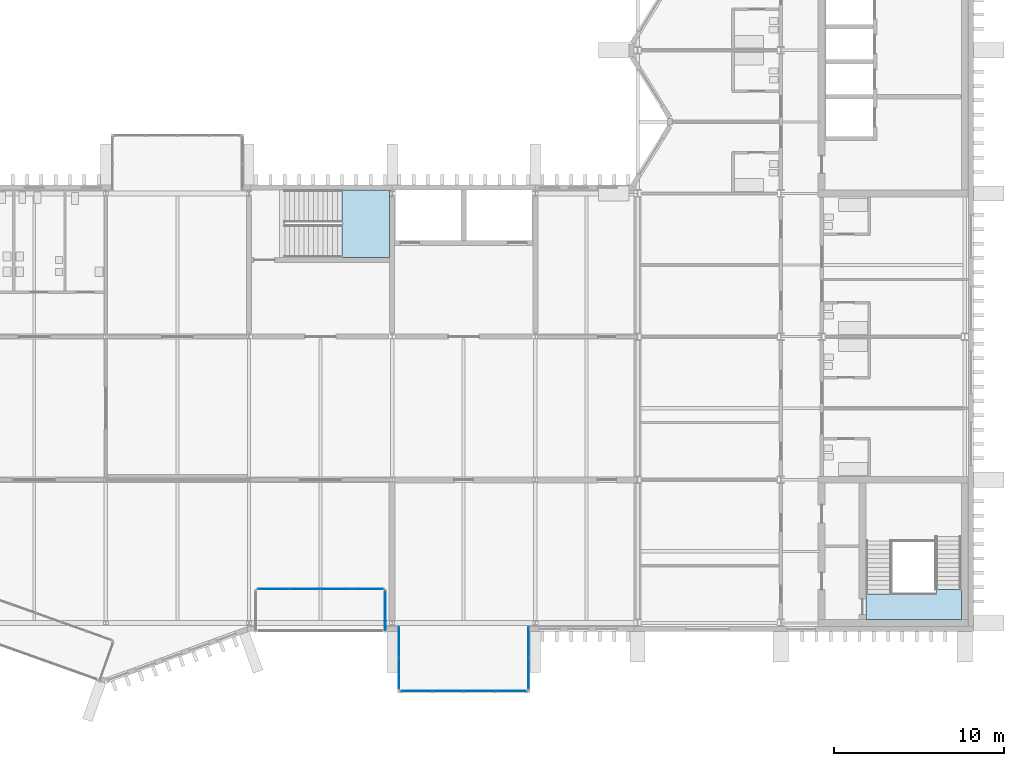
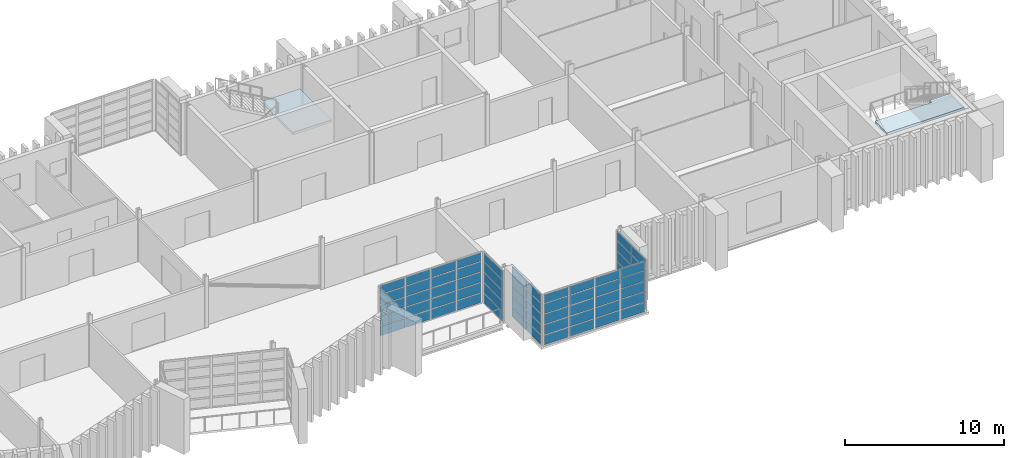
# One storey, part 51 of 88: 65 plates, 2 slabs, 7 elements without a shape of their own.
"""IFC4 building model written with IfcOpenShell, lengths in metres."""

from ifc_helpers import new_model, si_unit, direction, frame, origin, origin_2d, place, context, subcontext, project, spatial, polyline, rectangle, outline, extrude, material, layer, layer_set, type_object, element, aggregate, save


model = new_model("IFC4")

# Units and contexts
model_context = context("Model", 3, precision=1e-05, world=origin(), true_north=direction((0.0, 1.0)))
body_context = subcontext(model_context, "Body", "Model", "MODEL_VIEW")
ifc_project = project(units=[si_unit("LENGTHUNIT", "METRE"), si_unit("AREAUNIT", "SQUARE_METRE"), si_unit("VOLUMEUNIT", "CUBIC_METRE"), si_unit("PLANEANGLEUNIT", "RADIAN"), si_unit("MASSUNIT", "GRAM", prefix="KILO")], contexts=[model_context])

# Site, building, storey
site_placement = place(None, origin())
site = spatial("IfcSite", under=ifc_project, at=site_placement, CompositionType="ELEMENT")
building_placement = place(site_placement, origin())
building = spatial("IfcBuilding", under=site, at=building_placement, Name="Cresset Court Congress Hotel", CompositionType="ELEMENT")
storey_placement = place(building_placement, frame((0.0, 0.0, 14.39990234375)))
storey = spatial("IfcBuildingStorey", under=building, at=storey_placement, Name="L03", CompositionType="ELEMENT", Elevation=14.39990234375)

# Curtain wall, plates
ifc_material_1 = material(Name="Aluminium frame with double glazing", Category="aluminium")
ifc_layer_1 = layer(ifc_material_1, 0.199951171875)
ifc_layer_set_1 = layer_set([ifc_layer_1], Name="Glazed box curtain wall 1680 module")
curtain_wall_type = type_object("IfcCurtainWallType", Name="Glazed box curtain wall 1680 module", PredefinedType="NOTDEFINED", material=ifc_layer_set_1)
curtain_wall_1_placement = place(storey_placement, origin())
curtain_wall_1 = element("IfcCurtainWall", 1, at=curtain_wall_1_placement, inside=storey, type_object=curtain_wall_type, Name="Glazed box S0320 front", PredefinedType="NOTDEFINED")
ifc_material_2 = material(Name="Toughened double glazing", Category="glass")
ifc_layer_2 = layer(ifc_material_2, 0.028076171875)
ifc_layer_set_2 = layer_set([ifc_layer_2], Name="Box glass panel 28")
plate_type_1 = type_object("IfcPlateType", Name="Box glass panel 28", PredefinedType="CURTAIN_PANEL", material=ifc_layer_set_2)
plate_1_placement = place(storey_placement, frame((135.840087890625, 2.0, 0.06005859375), z_axis=(0.0, 0.0, 1.0), x_axis=(1.0, 0.0, 0.0)))
plate_1 = element("IfcPlate", 2, at=plate_1_placement, type_object=plate_type_1, Name="B-X1 panel 1.1", PredefinedType="CURTAIN_PANEL", context=body_context, shape_type="SweptSolid", body=[
    extrude(rectangle(XDim=1.760009765625, YDim=0.028076171875, at=origin_2d()), origin(), (0.0, 0.0, 1.0), 0.715087890625),
])
plate_2_placement = place(storey_placement, frame((135.840087890625, 2.0, 0.8349609375), z_axis=(0.0, 0.0, 1.0), x_axis=(1.0, 0.0, 0.0)))
plate_2 = element("IfcPlate", 3, at=plate_2_placement, type_object=plate_type_1, Name="B-X1 panel 1.2", PredefinedType="CURTAIN_PANEL", context=body_context, shape_type="SweptSolid", body=[
    extrude(rectangle(XDim=1.760009765625, YDim=0.028076171875, at=origin_2d()), origin(), (0.0, 0.0, 1.0), 0.7451171875),
])
plate_3_placement = place(storey_placement, frame((135.840087890625, 2.0, 1.64013671875), z_axis=(0.0, 0.0, 1.0), x_axis=(1.0, 0.0, 0.0)))
plate_3 = element("IfcPlate", 4, at=plate_3_placement, type_object=plate_type_1, Name="B-X1 panel 1.3", PredefinedType="CURTAIN_PANEL", context=body_context, shape_type="SweptSolid", body=[
    extrude(rectangle(XDim=1.760009765625, YDim=0.028076171875, at=origin_2d()), origin(), (0.0, 0.0, 1.0), 0.7451171875),
])
plate_4_placement = place(storey_placement, frame((135.840087890625, 2.0, 2.445068359375), z_axis=(0.0, 0.0, 1.0), x_axis=(1.0, 0.0, 0.0)))
plate_4 = element("IfcPlate", 5, at=plate_4_placement, type_object=plate_type_1, Name="B-X1 panel 1.4", PredefinedType="CURTAIN_PANEL", context=body_context, shape_type="SweptSolid", body=[
    extrude(rectangle(XDim=1.760009765625, YDim=0.028076171875, at=origin_2d()), origin(), (0.0, 0.0, 1.0), 0.7451171875),
])
plate_5_placement = place(storey_placement, frame((137.675048828125, 2.0, 0.06005859375), z_axis=(0.0, 0.0, 1.0), x_axis=(1.0, 0.0, 0.0)))
plate_5 = element("IfcPlate", 6, at=plate_5_placement, type_object=plate_type_1, Name="B-X1 panel 2.1", PredefinedType="CURTAIN_PANEL", context=body_context, shape_type="SweptSolid", body=[
    extrude(rectangle(XDim=1.7900390625, YDim=0.028076171875, at=origin_2d()), origin(), (0.0, 0.0, 1.0), 0.715087890625),
])
plate_6_placement = place(storey_placement, frame((137.675048828125, 2.0, 0.8349609375), z_axis=(0.0, 0.0, 1.0), x_axis=(1.0, 0.0, 0.0)))
plate_6 = element("IfcPlate", 7, at=plate_6_placement, type_object=plate_type_1, Name="B-X1 panel 2.2", PredefinedType="CURTAIN_PANEL", context=body_context, shape_type="SweptSolid", body=[
    extrude(rectangle(XDim=1.7900390625, YDim=0.028076171875, at=origin_2d()), origin(), (0.0, 0.0, 1.0), 0.7451171875),
])
plate_7_placement = place(storey_placement, frame((137.675048828125, 2.0, 1.64013671875), z_axis=(0.0, 0.0, 1.0), x_axis=(1.0, 0.0, 0.0)))
plate_7 = element("IfcPlate", 8, at=plate_7_placement, type_object=plate_type_1, Name="B-X1 panel 2.3", PredefinedType="CURTAIN_PANEL", context=body_context, shape_type="SweptSolid", body=[
    extrude(rectangle(XDim=1.7900390625, YDim=0.028076171875, at=origin_2d()), origin(), (0.0, 0.0, 1.0), 0.7451171875),
])
plate_8_placement = place(storey_placement, frame((137.675048828125, 2.0, 2.445068359375), z_axis=(0.0, 0.0, 1.0), x_axis=(1.0, 0.0, 0.0)))
plate_8 = element("IfcPlate", 9, at=plate_8_placement, type_object=plate_type_1, Name="B-X1 panel 2.4", PredefinedType="CURTAIN_PANEL", context=body_context, shape_type="SweptSolid", body=[
    extrude(rectangle(XDim=1.7900390625, YDim=0.028076171875, at=origin_2d()), origin(), (0.0, 0.0, 1.0), 0.7451171875),
])
plate_9_placement = place(storey_placement, frame((139.52490234375, 2.0, 0.06005859375), z_axis=(0.0, 0.0, 1.0), x_axis=(1.0, 0.0, 0.0)))
plate_9 = element("IfcPlate", 10, at=plate_9_placement, type_object=plate_type_1, Name="B-X1 panel 3.1", PredefinedType="CURTAIN_PANEL", context=body_context, shape_type="SweptSolid", body=[
    extrude(rectangle(XDim=1.7900390625, YDim=0.028076171875, at=origin_2d()), origin(), (0.0, 0.0, 1.0), 0.715087890625),
])
plate_10_placement = place(storey_placement, frame((139.52490234375, 2.0, 0.8349609375), z_axis=(0.0, 0.0, 1.0), x_axis=(1.0, 0.0, 0.0)))
plate_10 = element("IfcPlate", 11, at=plate_10_placement, type_object=plate_type_1, Name="B-X1 panel 3.2", PredefinedType="CURTAIN_PANEL", context=body_context, shape_type="SweptSolid", body=[
    extrude(rectangle(XDim=1.7900390625, YDim=0.028076171875, at=origin_2d()), origin(), (0.0, 0.0, 1.0), 0.7451171875),
])
plate_11_placement = place(storey_placement, frame((139.52490234375, 2.0, 1.64013671875), z_axis=(0.0, 0.0, 1.0), x_axis=(1.0, 0.0, 0.0)))
plate_11 = element("IfcPlate", 12, at=plate_11_placement, type_object=plate_type_1, Name="B-X1 panel 3.3", PredefinedType="CURTAIN_PANEL", context=body_context, shape_type="SweptSolid", body=[
    extrude(rectangle(XDim=1.7900390625, YDim=0.028076171875, at=origin_2d()), origin(), (0.0, 0.0, 1.0), 0.7451171875),
])
plate_12_placement = place(storey_placement, frame((139.52490234375, 2.0, 2.445068359375), z_axis=(0.0, 0.0, 1.0), x_axis=(1.0, 0.0, 0.0)))
plate_12 = element("IfcPlate", 13, at=plate_12_placement, type_object=plate_type_1, Name="B-X1 panel 3.4", PredefinedType="CURTAIN_PANEL", context=body_context, shape_type="SweptSolid", body=[
    extrude(rectangle(XDim=1.7900390625, YDim=0.028076171875, at=origin_2d()), origin(), (0.0, 0.0, 1.0), 0.7451171875),
])
plate_13_placement = place(storey_placement, frame((141.360107421875, 2.0, 0.06005859375), z_axis=(0.0, 0.0, 1.0), x_axis=(1.0, 0.0, 0.0)))
plate_13 = element("IfcPlate", 14, at=plate_13_placement, type_object=plate_type_1, Name="B-X1 panel 4.1", PredefinedType="CURTAIN_PANEL", context=body_context, shape_type="SweptSolid", body=[
    extrude(rectangle(XDim=1.760009765625, YDim=0.028076171875, at=origin_2d()), origin(), (0.0, 0.0, 1.0), 0.715087890625),
])
plate_14_placement = place(storey_placement, frame((141.360107421875, 2.0, 0.8349609375), z_axis=(0.0, 0.0, 1.0), x_axis=(1.0, 0.0, 0.0)))
plate_14 = element("IfcPlate", 15, at=plate_14_placement, type_object=plate_type_1, Name="B-X1 panel 4.2", PredefinedType="CURTAIN_PANEL", context=body_context, shape_type="SweptSolid", body=[
    extrude(rectangle(XDim=1.760009765625, YDim=0.028076171875, at=origin_2d()), origin(), (0.0, 0.0, 1.0), 0.7451171875),
])
plate_15_placement = place(storey_placement, frame((141.360107421875, 2.0, 1.64013671875), z_axis=(0.0, 0.0, 1.0), x_axis=(1.0, 0.0, 0.0)))
plate_15 = element("IfcPlate", 16, at=plate_15_placement, type_object=plate_type_1, Name="B-X1 panel 4.3", PredefinedType="CURTAIN_PANEL", context=body_context, shape_type="SweptSolid", body=[
    extrude(rectangle(XDim=1.760009765625, YDim=0.028076171875, at=origin_2d()), origin(), (0.0, 0.0, 1.0), 0.7451171875),
])
plate_16_placement = place(storey_placement, frame((141.360107421875, 2.0, 2.445068359375), z_axis=(0.0, 0.0, 1.0), x_axis=(1.0, 0.0, 0.0)))
plate_16 = element("IfcPlate", 17, at=plate_16_placement, type_object=plate_type_1, Name="B-X1 panel 4.4", PredefinedType="CURTAIN_PANEL", context=body_context, shape_type="SweptSolid", body=[
    extrude(rectangle(XDim=1.760009765625, YDim=0.028076171875, at=origin_2d()), origin(), (0.0, 0.0, 1.0), 0.7451171875),
])

curtain_wall_2_placement = place(storey_placement, origin())
curtain_wall_2 = element("IfcCurtainWall", 18, at=curtain_wall_2_placement, inside=storey, type_object=curtain_wall_type, Name="Glazed box S0320 side", PredefinedType="NOTDEFINED")
plate_17_placement = place(storey_placement, frame((142.39990234375, 0.699951171875, 0.06005859375), z_axis=(0.0, 0.0, 1.0), x_axis=(0.0, 1.0, 0.0)))
plate_17 = element("IfcPlate", 19, at=plate_17_placement, type_object=plate_type_1, Name="B-X1 panel 1.1", PredefinedType="CURTAIN_PANEL", context=body_context, shape_type="SweptSolid", body=[
    extrude(rectangle(XDim=2.280029296875, YDim=0.028076171875, at=origin_2d()), origin(), (0.0, 0.0, 1.0), 0.715087890625),
])
plate_18_placement = place(storey_placement, frame((142.39990234375, 0.699951171875, 0.8349609375), z_axis=(0.0, 0.0, 1.0), x_axis=(0.0, 1.0, 0.0)))
plate_18 = element("IfcPlate", 20, at=plate_18_placement, type_object=plate_type_1, Name="B-X1 panel 1.2", PredefinedType="CURTAIN_PANEL", context=body_context, shape_type="SweptSolid", body=[
    extrude(rectangle(XDim=2.280029296875, YDim=0.028076171875, at=origin_2d()), origin(), (0.0, 0.0, 1.0), 0.7451171875),
])
plate_19_placement = place(storey_placement, frame((142.39990234375, 0.699951171875, 1.64013671875), z_axis=(0.0, 0.0, 1.0), x_axis=(0.0, 1.0, 0.0)))
plate_19 = element("IfcPlate", 21, at=plate_19_placement, type_object=plate_type_1, Name="B-X1 panel 1.3", PredefinedType="CURTAIN_PANEL", context=body_context, shape_type="SweptSolid", body=[
    extrude(rectangle(XDim=2.280029296875, YDim=0.028076171875, at=origin_2d()), origin(), (0.0, 0.0, 1.0), 0.7451171875),
])
plate_20_placement = place(storey_placement, frame((142.39990234375, 0.699951171875, 2.445068359375), z_axis=(0.0, 0.0, 1.0), x_axis=(0.0, 1.0, 0.0)))
plate_20 = element("IfcPlate", 22, at=plate_20_placement, type_object=plate_type_1, Name="B-X1 panel 1.4", PredefinedType="CURTAIN_PANEL", context=body_context, shape_type="SweptSolid", body=[
    extrude(rectangle(XDim=2.280029296875, YDim=0.028076171875, at=origin_2d()), origin(), (0.0, 0.0, 1.0), 0.7451171875),
])

curtain_wall_3_placement = place(storey_placement, origin())
curtain_wall_3 = element("IfcCurtainWall", 23, at=curtain_wall_3_placement, inside=storey, type_object=curtain_wall_type, Name="Glazed box S0323 front", PredefinedType="NOTDEFINED")
plate_21_placement = place(storey_placement, frame((144.239990234375, -4.0, 0.06005859375), z_axis=(0.0, 0.0, 1.0), x_axis=(1.0, 0.0, 0.0)))
plate_21 = element("IfcPlate", 24, at=plate_21_placement, type_object=plate_type_1, Name="B-X1 panel 1.1", PredefinedType="CURTAIN_PANEL", context=body_context, shape_type="SweptSolid", body=[
    extrude(rectangle(XDim=1.760009765625, YDim=0.028076171875, at=origin_2d()), origin(), (0.0, 0.0, 1.0), 0.715087890625),
])
plate_22_placement = place(storey_placement, frame((144.239990234375, -4.0, 0.8349609375), z_axis=(0.0, 0.0, 1.0), x_axis=(1.0, 0.0, 0.0)))
plate_22 = element("IfcPlate", 25, at=plate_22_placement, type_object=plate_type_1, Name="B-X1 panel 1.2", PredefinedType="CURTAIN_PANEL", context=body_context, shape_type="SweptSolid", body=[
    extrude(rectangle(XDim=1.760009765625, YDim=0.028076171875, at=origin_2d()), origin(), (0.0, 0.0, 1.0), 0.7451171875),
])
plate_23_placement = place(storey_placement, frame((144.239990234375, -4.0, 1.64013671875), z_axis=(0.0, 0.0, 1.0), x_axis=(1.0, 0.0, 0.0)))
plate_23 = element("IfcPlate", 26, at=plate_23_placement, type_object=plate_type_1, Name="B-X1 panel 1.3", PredefinedType="CURTAIN_PANEL", context=body_context, shape_type="SweptSolid", body=[
    extrude(rectangle(XDim=1.760009765625, YDim=0.028076171875, at=origin_2d()), origin(), (0.0, 0.0, 1.0), 0.7451171875),
])
plate_24_placement = place(storey_placement, frame((144.239990234375, -4.0, 2.445068359375), z_axis=(0.0, 0.0, 1.0), x_axis=(1.0, 0.0, 0.0)))
plate_24 = element("IfcPlate", 27, at=plate_24_placement, type_object=plate_type_1, Name="B-X1 panel 1.4", PredefinedType="CURTAIN_PANEL", context=body_context, shape_type="SweptSolid", body=[
    extrude(rectangle(XDim=1.760009765625, YDim=0.028076171875, at=origin_2d()), origin(), (0.0, 0.0, 1.0), 0.7451171875),
])
plate_25_placement = place(storey_placement, frame((146.074951171875, -4.0, 0.06005859375), z_axis=(0.0, 0.0, 1.0), x_axis=(1.0, 0.0, 0.0)))
plate_25 = element("IfcPlate", 28, at=plate_25_placement, type_object=plate_type_1, Name="B-X1 panel 2.1", PredefinedType="CURTAIN_PANEL", context=body_context, shape_type="SweptSolid", body=[
    extrude(rectangle(XDim=1.7900390625, YDim=0.028076171875, at=origin_2d()), origin(), (0.0, 0.0, 1.0), 0.715087890625),
])
plate_26_placement = place(storey_placement, frame((146.074951171875, -4.0, 0.8349609375), z_axis=(0.0, 0.0, 1.0), x_axis=(1.0, 0.0, 0.0)))
plate_26 = element("IfcPlate", 29, at=plate_26_placement, type_object=plate_type_1, Name="B-X1 panel 2.2", PredefinedType="CURTAIN_PANEL", context=body_context, shape_type="SweptSolid", body=[
    extrude(rectangle(XDim=1.7900390625, YDim=0.028076171875, at=origin_2d()), origin(), (0.0, 0.0, 1.0), 0.7451171875),
])
plate_27_placement = place(storey_placement, frame((146.074951171875, -4.0, 1.64013671875), z_axis=(0.0, 0.0, 1.0), x_axis=(1.0, 0.0, 0.0)))
plate_27 = element("IfcPlate", 30, at=plate_27_placement, type_object=plate_type_1, Name="B-X1 panel 2.3", PredefinedType="CURTAIN_PANEL", context=body_context, shape_type="SweptSolid", body=[
    extrude(rectangle(XDim=1.7900390625, YDim=0.028076171875, at=origin_2d()), origin(), (0.0, 0.0, 1.0), 0.7451171875),
])
plate_28_placement = place(storey_placement, frame((146.074951171875, -4.0, 2.445068359375), z_axis=(0.0, 0.0, 1.0), x_axis=(1.0, 0.0, 0.0)))
plate_28 = element("IfcPlate", 31, at=plate_28_placement, type_object=plate_type_1, Name="B-X1 panel 2.4", PredefinedType="CURTAIN_PANEL", context=body_context, shape_type="SweptSolid", body=[
    extrude(rectangle(XDim=1.7900390625, YDim=0.028076171875, at=origin_2d()), origin(), (0.0, 0.0, 1.0), 0.7451171875),
])
plate_29_placement = place(storey_placement, frame((147.925048828125, -4.0, 0.06005859375), z_axis=(0.0, 0.0, 1.0), x_axis=(1.0, 0.0, 0.0)))
plate_29 = element("IfcPlate", 32, at=plate_29_placement, type_object=plate_type_1, Name="B-X1 panel 3.1", PredefinedType="CURTAIN_PANEL", context=body_context, shape_type="SweptSolid", body=[
    extrude(rectangle(XDim=1.7900390625, YDim=0.028076171875, at=origin_2d()), origin(), (0.0, 0.0, 1.0), 0.715087890625),
])
plate_30_placement = place(storey_placement, frame((147.925048828125, -4.0, 0.8349609375), z_axis=(0.0, 0.0, 1.0), x_axis=(1.0, 0.0, 0.0)))
plate_30 = element("IfcPlate", 33, at=plate_30_placement, type_object=plate_type_1, Name="B-X1 panel 3.2", PredefinedType="CURTAIN_PANEL", context=body_context, shape_type="SweptSolid", body=[
    extrude(rectangle(XDim=1.7900390625, YDim=0.028076171875, at=origin_2d()), origin(), (0.0, 0.0, 1.0), 0.7451171875),
])
plate_31_placement = place(storey_placement, frame((147.925048828125, -4.0, 1.64013671875), z_axis=(0.0, 0.0, 1.0), x_axis=(1.0, 0.0, 0.0)))
plate_31 = element("IfcPlate", 34, at=plate_31_placement, type_object=plate_type_1, Name="B-X1 panel 3.3", PredefinedType="CURTAIN_PANEL", context=body_context, shape_type="SweptSolid", body=[
    extrude(rectangle(XDim=1.7900390625, YDim=0.028076171875, at=origin_2d()), origin(), (0.0, 0.0, 1.0), 0.7451171875),
])
plate_32_placement = place(storey_placement, frame((147.925048828125, -4.0, 2.445068359375), z_axis=(0.0, 0.0, 1.0), x_axis=(1.0, 0.0, 0.0)))
plate_32 = element("IfcPlate", 35, at=plate_32_placement, type_object=plate_type_1, Name="B-X1 panel 3.4", PredefinedType="CURTAIN_PANEL", context=body_context, shape_type="SweptSolid", body=[
    extrude(rectangle(XDim=1.7900390625, YDim=0.028076171875, at=origin_2d()), origin(), (0.0, 0.0, 1.0), 0.7451171875),
])
plate_33_placement = place(storey_placement, frame((149.760009765625, -4.0, 0.06005859375), z_axis=(0.0, 0.0, 1.0), x_axis=(1.0, 0.0, 0.0)))
plate_33 = element("IfcPlate", 36, at=plate_33_placement, type_object=plate_type_1, Name="B-X1 panel 4.1", PredefinedType="CURTAIN_PANEL", context=body_context, shape_type="SweptSolid", body=[
    extrude(rectangle(XDim=1.760009765625, YDim=0.028076171875, at=origin_2d()), origin(), (0.0, 0.0, 1.0), 0.715087890625),
])
plate_34_placement = place(storey_placement, frame((149.760009765625, -4.0, 0.8349609375), z_axis=(0.0, 0.0, 1.0), x_axis=(1.0, 0.0, 0.0)))
plate_34 = element("IfcPlate", 37, at=plate_34_placement, type_object=plate_type_1, Name="B-X1 panel 4.2", PredefinedType="CURTAIN_PANEL", context=body_context, shape_type="SweptSolid", body=[
    extrude(rectangle(XDim=1.760009765625, YDim=0.028076171875, at=origin_2d()), origin(), (0.0, 0.0, 1.0), 0.7451171875),
])
plate_35_placement = place(storey_placement, frame((149.760009765625, -4.0, 1.64013671875), z_axis=(0.0, 0.0, 1.0), x_axis=(1.0, 0.0, 0.0)))
plate_35 = element("IfcPlate", 38, at=plate_35_placement, type_object=plate_type_1, Name="B-X1 panel 4.3", PredefinedType="CURTAIN_PANEL", context=body_context, shape_type="SweptSolid", body=[
    extrude(rectangle(XDim=1.760009765625, YDim=0.028076171875, at=origin_2d()), origin(), (0.0, 0.0, 1.0), 0.7451171875),
])
plate_36_placement = place(storey_placement, frame((149.760009765625, -4.0, 2.445068359375), z_axis=(0.0, 0.0, 1.0), x_axis=(1.0, 0.0, 0.0)))
plate_36 = element("IfcPlate", 39, at=plate_36_placement, type_object=plate_type_1, Name="B-X1 panel 4.4", PredefinedType="CURTAIN_PANEL", context=body_context, shape_type="SweptSolid", body=[
    extrude(rectangle(XDim=1.760009765625, YDim=0.028076171875, at=origin_2d()), origin(), (0.0, 0.0, 1.0), 0.7451171875),
])

curtain_wall_4_placement = place(storey_placement, origin())
curtain_wall_4 = element("IfcCurtainWall", 40, at=curtain_wall_4_placement, inside=storey, type_object=curtain_wall_type, Name="Glazed box S0323 side", PredefinedType="NOTDEFINED")
plate_37_placement = place(storey_placement, frame((143.199951171875, -1.139892578125, 0.06005859375), z_axis=(0.0, 0.0, 1.0), x_axis=(0.0, -1.0, 0.0)))
plate_37 = element("IfcPlate", 41, at=plate_37_placement, type_object=plate_type_1, Name="B-X1 panel 1.1", PredefinedType="CURTAIN_PANEL", context=body_context, shape_type="SweptSolid", body=[
    extrude(rectangle(XDim=1.760009765625, YDim=0.028076171875, at=origin_2d()), origin(), (0.0, 0.0, 1.0), 0.715087890625),
])
plate_38_placement = place(storey_placement, frame((143.199951171875, -1.139892578125, 0.8349609375), z_axis=(0.0, 0.0, 1.0), x_axis=(0.0, -1.0, 0.0)))
plate_38 = element("IfcPlate", 42, at=plate_38_placement, type_object=plate_type_1, Name="B-X1 panel 1.2", PredefinedType="CURTAIN_PANEL", context=body_context, shape_type="SweptSolid", body=[
    extrude(rectangle(XDim=1.760009765625, YDim=0.028076171875, at=origin_2d()), origin(), (0.0, 0.0, 1.0), 0.7451171875),
])
plate_39_placement = place(storey_placement, frame((143.199951171875, -1.139892578125, 1.64013671875), z_axis=(0.0, 0.0, 1.0), x_axis=(0.0, -1.0, 0.0)))
plate_39 = element("IfcPlate", 43, at=plate_39_placement, type_object=plate_type_1, Name="B-X1 panel 1.3", PredefinedType="CURTAIN_PANEL", context=body_context, shape_type="SweptSolid", body=[
    extrude(rectangle(XDim=1.760009765625, YDim=0.028076171875, at=origin_2d()), origin(), (0.0, 0.0, 1.0), 0.7451171875),
])
plate_40_placement = place(storey_placement, frame((143.199951171875, -1.139892578125, 2.445068359375), z_axis=(0.0, 0.0, 1.0), x_axis=(0.0, -1.0, 0.0)))
plate_40 = element("IfcPlate", 44, at=plate_40_placement, type_object=plate_type_1, Name="B-X1 panel 1.4", PredefinedType="CURTAIN_PANEL", context=body_context, shape_type="SweptSolid", body=[
    extrude(rectangle(XDim=1.760009765625, YDim=0.028076171875, at=origin_2d()), origin(), (0.0, 0.0, 1.0), 0.7451171875),
])
plate_41_placement = place(storey_placement, frame((143.199951171875, -2.9599609375, 0.06005859375), z_axis=(0.0, 0.0, 1.0), x_axis=(0.0, -1.0, 0.0)))
plate_41 = element("IfcPlate", 45, at=plate_41_placement, type_object=plate_type_1, Name="B-X1 panel 2.1", PredefinedType="CURTAIN_PANEL", context=body_context, shape_type="SweptSolid", body=[
    extrude(rectangle(XDim=1.760009765625, YDim=0.028076171875, at=origin_2d()), origin(), (0.0, 0.0, 1.0), 0.715087890625),
])
plate_42_placement = place(storey_placement, frame((143.199951171875, -2.9599609375, 0.8349609375), z_axis=(0.0, 0.0, 1.0), x_axis=(0.0, -1.0, 0.0)))
plate_42 = element("IfcPlate", 46, at=plate_42_placement, type_object=plate_type_1, Name="B-X1 panel 2.2", PredefinedType="CURTAIN_PANEL", context=body_context, shape_type="SweptSolid", body=[
    extrude(rectangle(XDim=1.760009765625, YDim=0.028076171875, at=origin_2d()), origin(), (0.0, 0.0, 1.0), 0.7451171875),
])
plate_43_placement = place(storey_placement, frame((143.199951171875, -2.9599609375, 1.64013671875), z_axis=(0.0, 0.0, 1.0), x_axis=(0.0, -1.0, 0.0)))
plate_43 = element("IfcPlate", 47, at=plate_43_placement, type_object=plate_type_1, Name="B-X1 panel 2.3", PredefinedType="CURTAIN_PANEL", context=body_context, shape_type="SweptSolid", body=[
    extrude(rectangle(XDim=1.760009765625, YDim=0.028076171875, at=origin_2d()), origin(), (0.0, 0.0, 1.0), 0.7451171875),
])
plate_44_placement = place(storey_placement, frame((143.199951171875, -2.9599609375, 2.445068359375), z_axis=(0.0, 0.0, 1.0), x_axis=(0.0, -1.0, 0.0)))
plate_44 = element("IfcPlate", 48, at=plate_44_placement, type_object=plate_type_1, Name="B-X1 panel 2.4", PredefinedType="CURTAIN_PANEL", context=body_context, shape_type="SweptSolid", body=[
    extrude(rectangle(XDim=1.760009765625, YDim=0.028076171875, at=origin_2d()), origin(), (0.0, 0.0, 1.0), 0.7451171875),
])

curtain_wall_5_placement = place(storey_placement, origin())
curtain_wall_5 = element("IfcCurtainWall", 49, at=curtain_wall_5_placement, inside=storey, type_object=curtain_wall_type, Name="Glazed box S0323 side", PredefinedType="NOTDEFINED")
plate_45_placement = place(storey_placement, frame((150.800048828125, -1.139892578125, 0.06005859375), z_axis=(0.0, 0.0, 1.0), x_axis=(0.0, -1.0, 0.0)))
plate_45 = element("IfcPlate", 50, at=plate_45_placement, type_object=plate_type_1, Name="B-X1 panel 1.1", PredefinedType="CURTAIN_PANEL", context=body_context, shape_type="SweptSolid", body=[
    extrude(rectangle(XDim=1.760009765625, YDim=0.028076171875, at=origin_2d()), origin(), (0.0, 0.0, 1.0), 0.715087890625),
])
plate_46_placement = place(storey_placement, frame((150.800048828125, -1.139892578125, 0.8349609375), z_axis=(0.0, 0.0, 1.0), x_axis=(0.0, -1.0, 0.0)))
plate_46 = element("IfcPlate", 51, at=plate_46_placement, type_object=plate_type_1, Name="B-X1 panel 1.2", PredefinedType="CURTAIN_PANEL", context=body_context, shape_type="SweptSolid", body=[
    extrude(rectangle(XDim=1.760009765625, YDim=0.028076171875, at=origin_2d()), origin(), (0.0, 0.0, 1.0), 0.7451171875),
])
plate_47_placement = place(storey_placement, frame((150.800048828125, -1.139892578125, 1.64013671875), z_axis=(0.0, 0.0, 1.0), x_axis=(0.0, -1.0, 0.0)))
plate_47 = element("IfcPlate", 52, at=plate_47_placement, type_object=plate_type_1, Name="B-X1 panel 1.3", PredefinedType="CURTAIN_PANEL", context=body_context, shape_type="SweptSolid", body=[
    extrude(rectangle(XDim=1.760009765625, YDim=0.028076171875, at=origin_2d()), origin(), (0.0, 0.0, 1.0), 0.7451171875),
])
plate_48_placement = place(storey_placement, frame((150.800048828125, -1.139892578125, 2.445068359375), z_axis=(0.0, 0.0, 1.0), x_axis=(0.0, -1.0, 0.0)))
plate_48 = element("IfcPlate", 53, at=plate_48_placement, type_object=plate_type_1, Name="B-X1 panel 1.4", PredefinedType="CURTAIN_PANEL", context=body_context, shape_type="SweptSolid", body=[
    extrude(rectangle(XDim=1.760009765625, YDim=0.028076171875, at=origin_2d()), origin(), (0.0, 0.0, 1.0), 0.7451171875),
])
plate_49_placement = place(storey_placement, frame((150.800048828125, -2.9599609375, 0.06005859375), z_axis=(0.0, 0.0, 1.0), x_axis=(0.0, -1.0, 0.0)))
plate_49 = element("IfcPlate", 54, at=plate_49_placement, type_object=plate_type_1, Name="B-X1 panel 2.1", PredefinedType="CURTAIN_PANEL", context=body_context, shape_type="SweptSolid", body=[
    extrude(rectangle(XDim=1.760009765625, YDim=0.028076171875, at=origin_2d()), origin(), (0.0, 0.0, 1.0), 0.715087890625),
])
plate_50_placement = place(storey_placement, frame((150.800048828125, -2.9599609375, 0.8349609375), z_axis=(0.0, 0.0, 1.0), x_axis=(0.0, -1.0, 0.0)))
plate_50 = element("IfcPlate", 55, at=plate_50_placement, type_object=plate_type_1, Name="B-X1 panel 2.2", PredefinedType="CURTAIN_PANEL", context=body_context, shape_type="SweptSolid", body=[
    extrude(rectangle(XDim=1.760009765625, YDim=0.028076171875, at=origin_2d()), origin(), (0.0, 0.0, 1.0), 0.7451171875),
])
plate_51_placement = place(storey_placement, frame((150.800048828125, -2.9599609375, 1.64013671875), z_axis=(0.0, 0.0, 1.0), x_axis=(0.0, -1.0, 0.0)))
plate_51 = element("IfcPlate", 56, at=plate_51_placement, type_object=plate_type_1, Name="B-X1 panel 2.3", PredefinedType="CURTAIN_PANEL", context=body_context, shape_type="SweptSolid", body=[
    extrude(rectangle(XDim=1.760009765625, YDim=0.028076171875, at=origin_2d()), origin(), (0.0, 0.0, 1.0), 0.7451171875),
])
plate_52_placement = place(storey_placement, frame((150.800048828125, -2.9599609375, 2.445068359375), z_axis=(0.0, 0.0, 1.0), x_axis=(0.0, -1.0, 0.0)))
plate_52 = element("IfcPlate", 57, at=plate_52_placement, type_object=plate_type_1, Name="B-X1 panel 2.4", PredefinedType="CURTAIN_PANEL", context=body_context, shape_type="SweptSolid", body=[
    extrude(rectangle(XDim=1.760009765625, YDim=0.028076171875, at=origin_2d()), origin(), (0.0, 0.0, 1.0), 0.7451171875),
])

# Plate
ifc_material_3 = material(Name="Insulated aluminium spandrel panel", Category="aluminium")
ifc_layer_3 = layer(ifc_material_3, 0.0400390625)
ifc_layer_set_3 = layer_set([ifc_layer_3], Name="Box spandrel panel 40")
plate_type_2 = type_object("IfcPlateType", Name="Box spandrel panel 40", PredefinedType="CURTAIN_PANEL", material=ifc_layer_set_3)
plate_53_placement = place(storey_placement, frame((135.840087890625, 2.0, 3.25), z_axis=(0.0, 0.0, 1.0), x_axis=(1.0, 0.0, 0.0)))
plate_53 = element("IfcPlate", 58, at=plate_53_placement, type_object=plate_type_2, Name="B-X1 spandrel panel 1.5", PredefinedType="CURTAIN_PANEL", context=body_context, shape_type="SweptSolid", body=[
    extrude(rectangle(XDim=1.760009765625, YDim=0.0400390625, at=origin_2d()), origin(), (0.0, 0.0, 1.0), 0.639892578125),
])

plate_54_placement = place(storey_placement, frame((137.675048828125, 2.0, 3.25), z_axis=(0.0, 0.0, 1.0), x_axis=(1.0, 0.0, 0.0)))
plate_54 = element("IfcPlate", 59, at=plate_54_placement, type_object=plate_type_2, Name="B-X1 spandrel panel 2.5", PredefinedType="CURTAIN_PANEL", context=body_context, shape_type="SweptSolid", body=[
    extrude(rectangle(XDim=1.7900390625, YDim=0.0400390625, at=origin_2d()), origin(), (0.0, 0.0, 1.0), 0.639892578125),
])

plate_55_placement = place(storey_placement, frame((139.52490234375, 2.0, 3.25), z_axis=(0.0, 0.0, 1.0), x_axis=(1.0, 0.0, 0.0)))
plate_55 = element("IfcPlate", 60, at=plate_55_placement, type_object=plate_type_2, Name="B-X1 spandrel panel 3.5", PredefinedType="CURTAIN_PANEL", context=body_context, shape_type="SweptSolid", body=[
    extrude(rectangle(XDim=1.7900390625, YDim=0.0400390625, at=origin_2d()), origin(), (0.0, 0.0, 1.0), 0.639892578125),
])

plate_56_placement = place(storey_placement, frame((141.360107421875, 2.0, 3.25), z_axis=(0.0, 0.0, 1.0), x_axis=(1.0, 0.0, 0.0)))
plate_56 = element("IfcPlate", 61, at=plate_56_placement, type_object=plate_type_2, Name="B-X1 spandrel panel 4.5", PredefinedType="CURTAIN_PANEL", context=body_context, shape_type="SweptSolid", body=[
    extrude(rectangle(XDim=1.760009765625, YDim=0.0400390625, at=origin_2d()), origin(), (0.0, 0.0, 1.0), 0.639892578125),
])

aggregate(curtain_wall_1, [plate_1, plate_2, plate_3, plate_4, plate_53, plate_5, plate_6, plate_7, plate_8, plate_54, plate_9, plate_10, plate_11, plate_12, plate_55, plate_13, plate_14, plate_15, plate_16, plate_56])

plate_57_placement = place(storey_placement, frame((142.39990234375, 0.699951171875, 3.25), z_axis=(0.0, 0.0, 1.0), x_axis=(0.0, 1.0, 0.0)))
plate_57 = element("IfcPlate", 62, at=plate_57_placement, type_object=plate_type_2, Name="B-X1 spandrel panel 1.5", PredefinedType="CURTAIN_PANEL", context=body_context, shape_type="SweptSolid", body=[
    extrude(rectangle(XDim=2.280029296875, YDim=0.0400390625, at=origin_2d()), origin(), (0.0, 0.0, 1.0), 0.639892578125),
])

aggregate(curtain_wall_2, [plate_17, plate_18, plate_19, plate_20, plate_57])

plate_58_placement = place(storey_placement, frame((144.239990234375, -4.0, 3.25), z_axis=(0.0, 0.0, 1.0), x_axis=(1.0, 0.0, 0.0)))
plate_58 = element("IfcPlate", 63, at=plate_58_placement, type_object=plate_type_2, Name="B-X1 spandrel panel 1.5", PredefinedType="CURTAIN_PANEL", context=body_context, shape_type="SweptSolid", body=[
    extrude(rectangle(XDim=1.760009765625, YDim=0.0400390625, at=origin_2d()), origin(), (0.0, 0.0, 1.0), 0.639892578125),
])

plate_59_placement = place(storey_placement, frame((146.074951171875, -4.0, 3.25), z_axis=(0.0, 0.0, 1.0), x_axis=(1.0, 0.0, 0.0)))
plate_59 = element("IfcPlate", 64, at=plate_59_placement, type_object=plate_type_2, Name="B-X1 spandrel panel 2.5", PredefinedType="CURTAIN_PANEL", context=body_context, shape_type="SweptSolid", body=[
    extrude(rectangle(XDim=1.7900390625, YDim=0.0400390625, at=origin_2d()), origin(), (0.0, 0.0, 1.0), 0.639892578125),
])

plate_60_placement = place(storey_placement, frame((147.925048828125, -4.0, 3.25), z_axis=(0.0, 0.0, 1.0), x_axis=(1.0, 0.0, 0.0)))
plate_60 = element("IfcPlate", 65, at=plate_60_placement, type_object=plate_type_2, Name="B-X1 spandrel panel 3.5", PredefinedType="CURTAIN_PANEL", context=body_context, shape_type="SweptSolid", body=[
    extrude(rectangle(XDim=1.7900390625, YDim=0.0400390625, at=origin_2d()), origin(), (0.0, 0.0, 1.0), 0.639892578125),
])

plate_61_placement = place(storey_placement, frame((149.760009765625, -4.0, 3.25), z_axis=(0.0, 0.0, 1.0), x_axis=(1.0, 0.0, 0.0)))
plate_61 = element("IfcPlate", 66, at=plate_61_placement, type_object=plate_type_2, Name="B-X1 spandrel panel 4.5", PredefinedType="CURTAIN_PANEL", context=body_context, shape_type="SweptSolid", body=[
    extrude(rectangle(XDim=1.760009765625, YDim=0.0400390625, at=origin_2d()), origin(), (0.0, 0.0, 1.0), 0.639892578125),
])

aggregate(curtain_wall_3, [plate_21, plate_22, plate_23, plate_24, plate_58, plate_25, plate_26, plate_27, plate_28, plate_59, plate_29, plate_30, plate_31, plate_32, plate_60, plate_33, plate_34, plate_35, plate_36, plate_61])

plate_62_placement = place(storey_placement, frame((143.199951171875, -1.139892578125, 3.25), z_axis=(0.0, 0.0, 1.0), x_axis=(0.0, -1.0, 0.0)))
plate_62 = element("IfcPlate", 67, at=plate_62_placement, type_object=plate_type_2, Name="B-X1 spandrel panel 1.5", PredefinedType="CURTAIN_PANEL", context=body_context, shape_type="SweptSolid", body=[
    extrude(rectangle(XDim=1.760009765625, YDim=0.0400390625, at=origin_2d()), origin(), (0.0, 0.0, 1.0), 0.639892578125),
])

plate_63_placement = place(storey_placement, frame((143.199951171875, -2.9599609375, 3.25), z_axis=(0.0, 0.0, 1.0), x_axis=(0.0, -1.0, 0.0)))
plate_63 = element("IfcPlate", 68, at=plate_63_placement, type_object=plate_type_2, Name="B-X1 spandrel panel 2.5", PredefinedType="CURTAIN_PANEL", context=body_context, shape_type="SweptSolid", body=[
    extrude(rectangle(XDim=1.760009765625, YDim=0.0400390625, at=origin_2d()), origin(), (0.0, 0.0, 1.0), 0.639892578125),
])

aggregate(curtain_wall_4, [plate_37, plate_38, plate_39, plate_40, plate_62, plate_41, plate_42, plate_43, plate_44, plate_63])

plate_64_placement = place(storey_placement, frame((150.800048828125, -1.139892578125, 3.25), z_axis=(0.0, 0.0, 1.0), x_axis=(0.0, -1.0, 0.0)))
plate_64 = element("IfcPlate", 69, at=plate_64_placement, type_object=plate_type_2, Name="B-X1 spandrel panel 1.5", PredefinedType="CURTAIN_PANEL", context=body_context, shape_type="SweptSolid", body=[
    extrude(rectangle(XDim=1.760009765625, YDim=0.0400390625, at=origin_2d()), origin(), (0.0, 0.0, 1.0), 0.639892578125),
])

plate_65_placement = place(storey_placement, frame((150.800048828125, -2.9599609375, 3.25), z_axis=(0.0, 0.0, 1.0), x_axis=(0.0, -1.0, 0.0)))
plate_65 = element("IfcPlate", 70, at=plate_65_placement, type_object=plate_type_2, Name="B-X1 spandrel panel 2.5", PredefinedType="CURTAIN_PANEL", context=body_context, shape_type="SweptSolid", body=[
    extrude(rectangle(XDim=1.760009765625, YDim=0.0400390625, at=origin_2d()), origin(), (0.0, 0.0, 1.0), 0.639892578125),
])

aggregate(curtain_wall_5, [plate_45, plate_46, plate_47, plate_48, plate_64, plate_49, plate_50, plate_51, plate_52, plate_65])

# Stair, slab
ifc_material_4 = material(Name="Concrete C40", Category="concrete")
stair_type_1 = type_object("IfcStairType", Name="Concrete dog-leg stair 5600", PredefinedType="HALF_TURN_STAIR", material=ifc_material_4)
stair_1_placement = place(storey_placement, origin())
stair_1 = element("IfcStair", 71, at=stair_1_placement, inside=storey, type_object=stair_type_1, Name="Stair A1 L03", PredefinedType="HALF_TURN_STAIR")
ifc_material_5 = material(Name="Concrete C40", Category="concrete")
ifc_layer_4 = layer(ifc_material_5, 0.199951171875)
ifc_layer_set_4 = layer_set([ifc_layer_4], Name="Stair landing 200")
slab_type = type_object("IfcSlabType", Name="Stair landing 200", PredefinedType="LANDING", material=ifc_layer_set_4)
slab_1_placement = place(storey_placement, frame((0.0, 0.0, 4.0)))
slab_1 = element("IfcSlab", 72, at=slab_1_placement, type_object=slab_type, Name="A-ST1 landing 2", PredefinedType="LANDING", context=body_context, shape_type="SweptSolid", body=[
    extrude(outline(polyline([(170.60009765625, 0.199951171875), (176.199951171875, 0.199951171875), (176.199951171875, 1.960693359375), (174.699951171875, 1.960693359375), (174.699951171875, 1.70068359375), (170.60009765625, 1.70068359375), (170.60009765625, 0.199951171875)])), origin(), (0.0, 0.0, 1.0), 0.2001953125),
])
aggregate(stair_1, [slab_1])

ifc_material_6 = material(Name="Concrete C40", Category="concrete")
stair_type_2 = type_object("IfcStairType", Name="Dog-leg stair 1400 flights", PredefinedType="HALF_TURN_STAIR", material=ifc_material_6)
stair_2_placement = place(storey_placement, origin())
stair_2 = element("IfcStair", 73, at=stair_2_placement, inside=storey, type_object=stair_type_2, Name="L03 Stair ST-B5", PredefinedType="HALF_TURN_STAIR")
slab_2_placement = place(storey_placement, frame((0.0, 0.0, 1.900146484375)))
slab_2 = element("IfcSlab", 74, at=slab_2_placement, type_object=slab_type, Name="ST-B5 landing 1", PredefinedType="LANDING", context=body_context, shape_type="SweptSolid", body=[
    extrude(outline(polyline([(139.860107421875, 21.449951171875), (142.64990234375, 21.449951171875), (142.64990234375, 25.39990234375), (139.860107421875, 25.39990234375), (139.860107421875, 21.449951171875)])), origin(), (0.0, 0.0, 1.0), 0.199951171875),
])
aggregate(stair_2, [slab_2])

save(model, "model.ifc")
